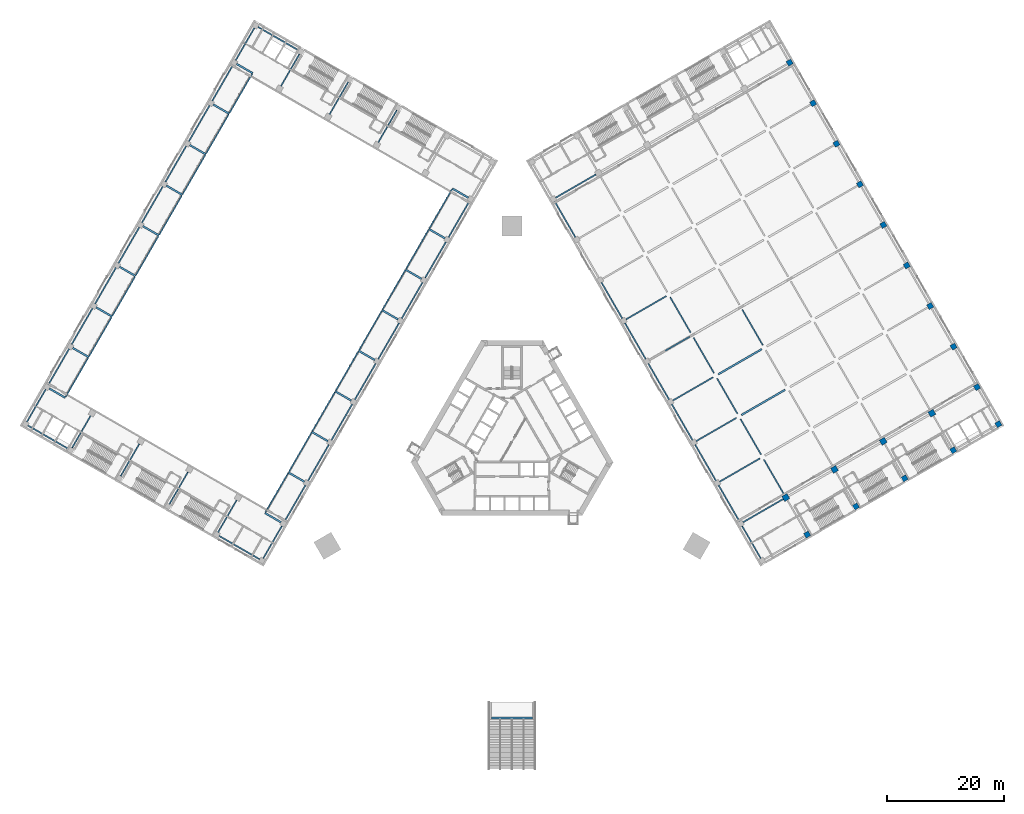
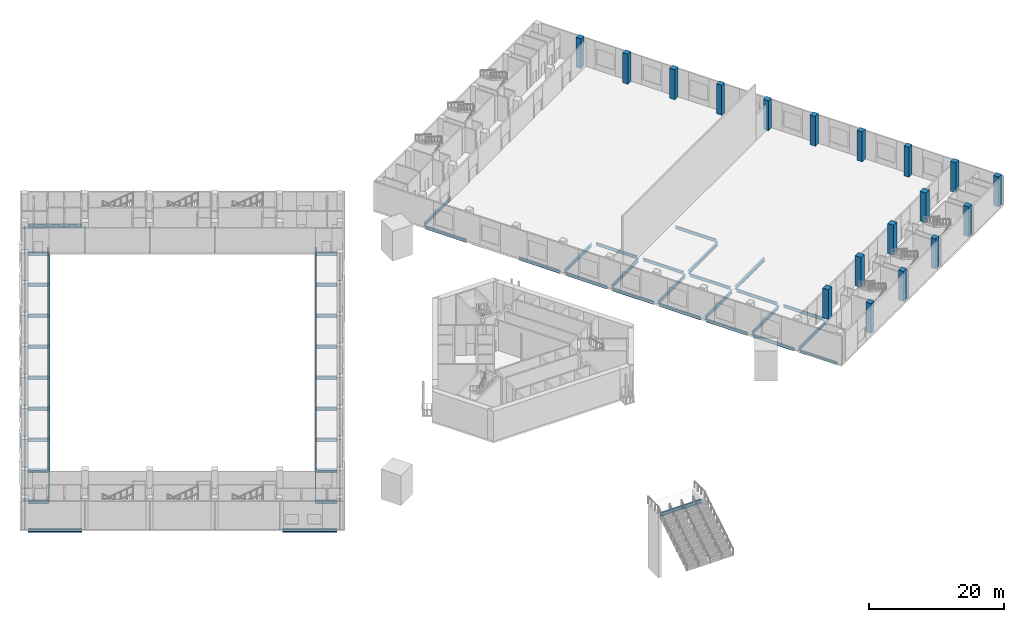
# One storey, part 5 of 35: 87 beams, 18 columns.
"""IFC4 building model written with IfcOpenShell, lengths in metres."""

from ifc_helpers import new_model, si_unit, direction, frame, origin, origin_2d, place, context, subcontext, project, spatial, rectangle, i_section, extrude, material, material_profile, profile_set, type_object, element, save


model = new_model("IFC4")

# Units and contexts
model_context = context("Model", 3, precision=1e-05, world=origin(), true_north=direction((0.0, 1.0)))
body_context = subcontext(model_context, "Body", "Model", "MODEL_VIEW")
ifc_project = project(units=[si_unit("LENGTHUNIT", "METRE"), si_unit("AREAUNIT", "SQUARE_METRE"), si_unit("VOLUMEUNIT", "CUBIC_METRE"), si_unit("PLANEANGLEUNIT", "RADIAN"), si_unit("MASSUNIT", "GRAM", prefix="KILO")], contexts=[model_context])

# Site, building, storey
site_placement = place(None, origin())
site = spatial("IfcSite", under=ifc_project, at=site_placement, CompositionType="ELEMENT")
building_placement = place(site_placement, origin())
building = spatial("IfcBuilding", under=site, at=building_placement, Name="Mestral Congress Tower", CompositionType="ELEMENT")
storey_placement = place(building_placement, frame((0.0, 0.0, 6.0)))
storey = spatial("IfcBuildingStorey", under=building, at=storey_placement, Name="L01", CompositionType="ELEMENT", Elevation=6.0)

# Columns
ifc_material_1 = material(Name="Concrete C60/75", Category="concrete")
ifc_material_profile_1 = material_profile(ifc_material_1, rectangle(XDim=1.0, YDim=1.0, at=origin_2d()), Name="RC 1000x1000")
ifc_profile_set_1 = profile_set([ifc_material_profile_1], Name="Concrete C60/75")
column_type_1 = type_object("IfcColumnType", Name="Podium column RC 1000x1000 C60/75", PredefinedType="COLUMN", material=ifc_profile_set_1)
for number, where, z_axis, x_axis, name in (
    (1, (46.76806640625, -9.94873046875, 0.0), (0.0, 0.0, 1.0), (-0.5, 0.866025403784, 0.0), "COL-L01-PC-E-02B"),
    (2, (55.08203125, -5.148681640625, 0.0), (0.0, 0.0, 1.0), (-0.5, 0.866025403784, 0.0), "COL-L01-PC-E-02C"),
    (3, (63.395751953125, -0.348876953125, 0.0), (0.0, 0.0, 1.0), (-0.5, 0.866025403784, 0.0), "COL-L01-PC-E-02D"),
    (4, (71.709716796875, 4.451171875, 0.0), (0.0, 0.0, 1.0), (-0.5, 0.866025403784, 0.0), "COL-L01-PC-E-02E"),
):
    element("IfcColumn", number, at=place(storey_placement, frame(where, z_axis=z_axis, x_axis=x_axis)), inside=storey, type_object=column_type_1, Name=name, PredefinedType="COLUMN", context=body_context, shape_type="SweptSolid", body=[
        extrude(rectangle(XDim=1.0, YDim=1.0, at=origin_2d()), origin(), (0.0, 0.0, 1.0), 5.39990234375),
    ])
ifc_material_2 = material(Name="Concrete C50/60", Category="concrete")
ifc_material_profile_2 = material_profile(ifc_material_2, rectangle(XDim=0.89990234375, YDim=0.89990234375, at=origin_2d()), Name="RC 900x900")
ifc_profile_set_2 = profile_set([ifc_material_profile_2], Name="Concrete C50/60")
column_type_2 = type_object("IfcColumnType", Name="Podium column RC 900x900 C50/60", PredefinedType="COLUMN", material=ifc_profile_set_2)
for number, where, z_axis, x_axis, name in (
    (5, (50.418212890625, -16.270751953125, 0.0), (0.0, 0.0, 1.0), (-0.5, 0.866025403784, 0.0), "COL-L01-PC-E-01B"),
    (6, (58.73193359375, -11.470703125, 0.0), (0.0, 0.0, 1.0), (-0.5, 0.866025403784, 0.0), "COL-L01-PC-E-01C"),
    (7, (67.0458984375, -6.6708984375, 0.0), (0.0, 0.0, 1.0), (-0.5, 0.866025403784, 0.0), "COL-L01-PC-E-01D"),
    (8, (75.359619140625, -1.870849609375, 0.0), (0.0, 0.0, 1.0), (-0.5, 0.866025403784, 0.0), "COL-L01-PC-E-01E"),
    (9, (83.0673828125, 2.5791015625, 0.0), (0.0, 0.0, 1.0), (-0.5, 0.866025403784, 0.0), "COL-L01-PC-E-01F"),
    (10, (79.417236328125, 8.901123046875, 0.0), (0.0, 0.0, 1.0), (-0.5, 0.866025403784, 0.0), "COL-L01-PC-E-02F"),
    (11, (75.417236328125, 15.829345703125, 0.0), (0.0, 0.0, 1.0), (-0.5, 0.866025403784, 0.0), "COL-L01-PC-E-03F"),
    (12, (71.417236328125, 22.757568359375, 0.0), (0.0, 0.0, 1.0), (-0.5, 0.866025403784, 0.0), "COL-L01-PC-E-04F"),
    (13, (67.417236328125, 29.685791015625, 0.0), (0.0, 0.0, 1.0), (-0.5, 0.866025403784, 0.0), "COL-L01-PC-E-05F"),
    (14, (63.417236328125, 36.614013671875, 0.0), (0.0, 0.0, 1.0), (-0.5, 0.866025403784, 0.0), "COL-L01-PC-E-06F"),
    (15, (59.417236328125, 43.542236328125, 0.0), (0.0, 0.0, 1.0), (-0.5, 0.866025403784, 0.0), "COL-L01-PC-E-07F"),
    (16, (55.417236328125, 50.470458984375, 0.0), (0.0, 0.0, 1.0), (-0.5, 0.866025403784, 0.0), "COL-L01-PC-E-08F"),
    (17, (51.417236328125, 57.398681640625, 0.0), (0.0, 0.0, 1.0), (-0.5, 0.866025403784, 0.0), "COL-L01-PC-E-09F"),
    (18, (47.417236328125, 64.326904296875, 0.0), (0.0, 0.0, 1.0), (-0.5, 0.866025403784, 0.0), "COL-L01-PC-E-10F"),
):
    element("IfcColumn", number, at=place(storey_placement, frame(where, z_axis=z_axis, x_axis=x_axis)), inside=storey, type_object=column_type_2, Name=name, PredefinedType="COLUMN", context=body_context, shape_type="SweptSolid", body=[
        extrude(rectangle(XDim=0.89990234375, YDim=0.89990234375, at=origin_2d()), origin(), (0.0, 0.0, 1.0), 5.39990234375),
    ])

# Beams
ifc_material_3 = material(Name="Steel S355", Category="steel")
ifc_material_profile_3 = material_profile(ifc_material_3, i_section(OverallWidth=0.300048828125, OverallDepth=0.60009765625, WebThickness=0.015380859375, FlangeThickness=0.030029296875, FilletRadius=0.027099609375, at=origin_2d()), Name="HEB 600")
ifc_profile_set_3 = profile_set([ifc_material_profile_3], Name="Steel S355")
beam_type_1 = type_object("IfcBeamType", Name="Floor beam HEB 600 S355", PredefinedType="BEAM", material=ifc_profile_set_3)
for number, where, z_axis, x_axis, name in (
    (19, (39.201171875, 4.15771484375, -0.60009765625), (0.866033360935, 0.499986217557, 0.0), (-0.499986217557, 0.866033360935, 0.0), "BM-L01-E-V04B"),
    (20, (35.201171875, 11.085693359375, -0.60009765625), (0.866021068297, 0.500007509209, 0.0), (-0.500007509209, 0.866021068297, 0.0), "BM-L01-E-V05B"),
):
    element("IfcBeam", number, at=place(storey_placement, frame(where, z_axis=z_axis, x_axis=x_axis)), inside=storey, type_object=beam_type_1, Name=name, PredefinedType="BEAM", context=body_context, shape_type="SweptSolid", body=[
        extrude(i_section(OverallWidth=0.300048828125, OverallDepth=0.60009765625, WebThickness=0.015380859375, FlangeThickness=0.030029296875, FilletRadius=0.027099609375, at=origin_2d()), origin(), (0.0, 0.0, 1.0), 8.599853515625),
    ])
beam_1_placement = place(storey_placement, frame((-7.4501953125, 41.251708984375, -0.60009765625), z_axis=(-0.866002311072, 0.500039995618, 0.0), x_axis=(-0.500039995618, -0.866002311072, 0.0)))
element("IfcBeam", 21, at=beam_1_placement, inside=storey, type_object=beam_type_1, Name="BM-L01-W-G02A", PredefinedType="BEAM", context=body_context, shape_type="SweptSolid", body=[
    extrude(i_section(OverallWidth=0.300048828125, OverallDepth=0.60009765625, WebThickness=0.015380859375, FlangeThickness=0.030029296875, FilletRadius=0.027099609375, at=origin_2d()), origin(), (0.0, 0.0, 1.0), 3.150146484375),
])
beam_2_placement = place(storey_placement, frame((-47.027587890625, 64.101806640625, -0.60009765625), z_axis=(0.866035871367, -0.499981869177, 0.0), x_axis=(0.499981869177, 0.866035871367, 0.0)))
element("IfcBeam", 22, at=beam_2_placement, inside=storey, type_object=beam_type_1, Name="BM-L01-W-G02F", PredefinedType="BEAM", context=body_context, shape_type="SweptSolid", body=[
    extrude(i_section(OverallWidth=0.300048828125, OverallDepth=0.60009765625, WebThickness=0.015380859375, FlangeThickness=0.030029296875, FilletRadius=0.027099609375, at=origin_2d()), origin(), (0.0, 0.0, 1.0), 3.14990234375),
])
beam_3_placement = place(storey_placement, frame((-11.4501953125, 34.323486328125, -0.60009765625), z_axis=(-0.866002311072, 0.500039995618, 0.0), x_axis=(-0.500039995618, -0.866002311072, 0.0)))
element("IfcBeam", 23, at=beam_3_placement, inside=storey, type_object=beam_type_1, Name="BM-L01-W-G03A", PredefinedType="BEAM", context=body_context, shape_type="SweptSolid", body=[
    extrude(i_section(OverallWidth=0.300048828125, OverallDepth=0.60009765625, WebThickness=0.015380859375, FlangeThickness=0.030029296875, FilletRadius=0.027099609375, at=origin_2d()), origin(), (0.0, 0.0, 1.0), 3.150146484375),
])
for number, where, z_axis, x_axis, name in (
    (24, (-51.027587890625, 57.173583984375, -0.60009765625), (0.866035871367, -0.499981869177, 0.0), (0.499981869177, 0.866035871367, 0.0), "BM-L01-W-G03F"),
    (25, (-15.4501953125, 27.3955078125, -0.60009765625), (-0.866035871367, 0.499981869177, 0.0), (-0.499981869177, -0.866035871367, 0.0), "BM-L01-W-G04A"),
    (26, (-55.027587890625, 50.245361328125, -0.60009765625), (0.866035871367, -0.499981869177, 0.0), (0.499981869177, 0.866035871367, 0.0), "BM-L01-W-G04F"),
    (27, (-19.4501953125, 20.46728515625, -0.60009765625), (-0.866035871367, 0.499981869177, 0.0), (-0.499981869177, -0.866035871367, 0.0), "BM-L01-W-G05A"),
    (28, (-59.027587890625, 43.317138671875, -0.60009765625), (0.866035871367, -0.499981869177, 0.0), (0.499981869177, 0.866035871367, 0.0), "BM-L01-W-G05F"),
    (29, (-23.4501953125, 13.5390625, -0.60009765625), (-0.866035871367, 0.499981869177, 0.0), (-0.499981869177, -0.866035871367, 0.0), "BM-L01-W-G06A"),
    (30, (-63.027587890625, 36.388916015625, -0.60009765625), (0.866035871367, -0.499981869177, 0.0), (0.499981869177, 0.866035871367, 0.0), "BM-L01-W-G06F"),
    (31, (-27.4501953125, 6.61083984375, -0.60009765625), (-0.866035871367, 0.499981869177, 0.0), (-0.499981869177, -0.866035871367, 0.0), "BM-L01-W-G07A"),
    (32, (-67.027587890625, 29.460693359375, -0.60009765625), (0.866035871367, -0.499981869177, 0.0), (0.499981869177, 0.866035871367, 0.0), "BM-L01-W-G07F"),
    (33, (-31.4501953125, -0.3173828125, -0.60009765625), (-0.866035871367, 0.499981869177, 0.0), (-0.499981869177, -0.866035871367, 0.0), "BM-L01-W-G08A"),
):
    element("IfcBeam", number, at=place(storey_placement, frame(where, z_axis=z_axis, x_axis=x_axis)), inside=storey, type_object=beam_type_1, Name=name, PredefinedType="BEAM", context=body_context, shape_type="SweptSolid", body=[
        extrude(i_section(OverallWidth=0.300048828125, OverallDepth=0.60009765625, WebThickness=0.015380859375, FlangeThickness=0.030029296875, FilletRadius=0.027099609375, at=origin_2d()), origin(), (0.0, 0.0, 1.0), 3.14990234375),
    ])
beam_4_placement = place(storey_placement, frame((-71.027587890625, 22.53271484375, -0.60009765625), z_axis=(0.866002311072, -0.500039995618, 0.0), x_axis=(0.500039995618, 0.866002311072, 0.0)))
element("IfcBeam", 34, at=beam_4_placement, inside=storey, type_object=beam_type_1, Name="BM-L01-W-G08F", PredefinedType="BEAM", context=body_context, shape_type="SweptSolid", body=[
    extrude(i_section(OverallWidth=0.300048828125, OverallDepth=0.60009765625, WebThickness=0.015380859375, FlangeThickness=0.030029296875, FilletRadius=0.027099609375, at=origin_2d()), origin(), (0.0, 0.0, 1.0), 3.150146484375),
])
beam_5_placement = place(storey_placement, frame((-35.4501953125, -7.24560546875, -0.60009765625), z_axis=(-0.866035871367, 0.499981869177, 0.0), x_axis=(-0.499981869177, -0.866035871367, 0.0)))
element("IfcBeam", 35, at=beam_5_placement, inside=storey, type_object=beam_type_1, Name="BM-L01-W-G09A", PredefinedType="BEAM", context=body_context, shape_type="SweptSolid", body=[
    extrude(i_section(OverallWidth=0.300048828125, OverallDepth=0.60009765625, WebThickness=0.015380859375, FlangeThickness=0.030029296875, FilletRadius=0.027099609375, at=origin_2d()), origin(), (0.0, 0.0, 1.0), 3.14990234375),
])
beam_6_placement = place(storey_placement, frame((-75.027587890625, 15.6044921875, -0.60009765625), z_axis=(0.866002311072, -0.500039995618, 0.0), x_axis=(0.500039995618, 0.866002311072, 0.0)))
element("IfcBeam", 36, at=beam_6_placement, inside=storey, type_object=beam_type_1, Name="BM-L01-W-G09F", PredefinedType="BEAM", context=body_context, shape_type="SweptSolid", body=[
    extrude(i_section(OverallWidth=0.300048828125, OverallDepth=0.60009765625, WebThickness=0.015380859375, FlangeThickness=0.030029296875, FilletRadius=0.027099609375, at=origin_2d()), origin(), (0.0, 0.0, 1.0), 3.150146484375),
])
for number, where, z_axis, x_axis, name in (
    (37, (-39.4501953125, -14.173828125, -0.60009765625), (-0.866035871367, 0.499981869177, 0.0), (-0.499981869177, -0.866035871367, 0.0), "BM-L01-W-G10A"),
    (38, (-79.027587890625, 8.67626953125, -0.60009765625), (0.866035871367, -0.499981869177, 0.0), (0.499981869177, 0.866035871367, 0.0), "BM-L01-W-G10F"),
):
    element("IfcBeam", number, at=place(storey_placement, frame(where, z_axis=z_axis, x_axis=x_axis)), inside=storey, type_object=beam_type_1, Name=name, PredefinedType="BEAM", context=body_context, shape_type="SweptSolid", body=[
        extrude(i_section(OverallWidth=0.300048828125, OverallDepth=0.60009765625, WebThickness=0.015380859375, FlangeThickness=0.030029296875, FilletRadius=0.027099609375, at=origin_2d()), origin(), (0.0, 0.0, 1.0), 3.14990234375),
    ])
beam_7_placement = place(storey_placement, frame((-3.5, -47.587890625, 4.800048828125), z_axis=(1.0, 0.0, 0.0), x_axis=(0.0, 1.0, 0.0)))
element("IfcBeam", 39, at=beam_7_placement, inside=storey, type_object=beam_type_1, Name="BM-TERR-2", PredefinedType="BEAM", context=body_context, shape_type="SweptSolid", body=[
    extrude(i_section(OverallWidth=0.300048828125, OverallDepth=0.60009765625, WebThickness=0.015380859375, FlangeThickness=0.030029296875, FilletRadius=0.027099609375, at=origin_2d()), origin(), (0.0, 0.0, 1.0), 7.0),
])
ifc_material_profile_4 = material_profile(ifc_material_3, i_section(OverallWidth=0.199951171875, OverallDepth=0.5, WebThickness=0.01025390625, FlangeThickness=0.01611328125, FilletRadius=0.02099609375, at=origin_2d()), Name="IPE 500")
ifc_profile_set_4 = profile_set([ifc_material_profile_4], Name="Steel S355")
beam_type_2 = type_object("IfcBeamType", Name="Floor beam IPE 500 S355", PredefinedType="BEAM", material=ifc_profile_set_4)
for number, where, z_axis, x_axis, name in (
    (40, (42.485595703125, -20.3310546875, -0.550048828125), (-0.500028443584, 0.866008981251, 0.0), (-0.866008981251, -0.500028443584, 0.0), "BM-L01-E-U01A"),
    (41, (-39.285400390625, -14.78857421875, -0.550048828125), (-0.500028443584, -0.866008981251, 0.0), (0.866008981251, -0.500028443584, 0.0), "BM-L01-W-U10A"),
):
    element("IfcBeam", number, at=place(storey_placement, frame(where, z_axis=z_axis, x_axis=x_axis)), inside=storey, type_object=beam_type_2, Name=name, PredefinedType="BEAM", context=body_context, shape_type="SweptSolid", body=[
        extrude(i_section(OverallWidth=0.199951171875, OverallDepth=0.5, WebThickness=0.01025390625, FlangeThickness=0.01611328125, FilletRadius=0.02099609375, at=origin_2d()), origin(), (0.0, 0.0, 1.0), 6.400146484375),
    ])
for number, where, z_axis, x_axis, name in (
    (42, (-47.01806640625, -10.3818359375, -0.550048828125), (-0.500005339912, -0.866022320763, 0.0), (0.866022320763, -0.500005339912, 0.0), "BM-L01-W-U10B"),
    (43, (-19.656982421875, 56.208984375, -0.550048828125), (-0.500005339912, -0.866022320763, 0.0), (0.866022320763, -0.500005339912, 0.0), "BM-L01-W-U01C"),
    (44, (-55.33203125, -5.581787109375, -0.550048828125), (-0.500005339912, -0.866022320763, 0.0), (0.866022320763, -0.500005339912, 0.0), "BM-L01-W-U10C"),
    (45, (-27.970703125, 61.009033203125, -0.550048828125), (-0.500005339912, -0.866022320763, 0.0), (0.866022320763, -0.500005339912, 0.0), "BM-L01-W-U01D"),
    (46, (-63.645751953125, -0.78173828125, -0.550048828125), (-0.500005339912, -0.866022320763, 0.0), (0.866022320763, -0.500005339912, 0.0), "BM-L01-W-U10D"),
    (47, (-36.28466796875, 65.80908203125, -0.550048828125), (-0.500005339912, -0.866022320763, 0.0), (0.866022320763, -0.500005339912, 0.0), "BM-L01-W-U01E"),
):
    element("IfcBeam", number, at=place(storey_placement, frame(where, z_axis=z_axis, x_axis=x_axis)), inside=storey, type_object=beam_type_2, Name=name, PredefinedType="BEAM", context=body_context, shape_type="SweptSolid", body=[
        extrude(i_section(OverallWidth=0.199951171875, OverallDepth=0.5, WebThickness=0.01025390625, FlangeThickness=0.01611328125, FilletRadius=0.02099609375, at=origin_2d()), origin(), (0.0, 0.0, 1.0), 6.35009765625),
    ])
beam_8_placement = place(storey_placement, frame((-71.959716796875, 4.018310546875, -0.550048828125), z_axis=(-0.499988692146, -0.866031932279, 0.0), x_axis=(0.866031932279, -0.499988692146, 0.0)))
element("IfcBeam", 48, at=beam_8_placement, inside=storey, type_object=beam_type_2, Name="BM-L01-W-U10E", PredefinedType="BEAM", context=body_context, shape_type="SweptSolid", body=[
    extrude(i_section(OverallWidth=0.199951171875, OverallDepth=0.5, WebThickness=0.01025390625, FlangeThickness=0.01611328125, FilletRadius=0.02099609375, at=origin_2d()), origin(), (0.0, 0.0, 1.0), 6.350341796875),
])
beam_9_placement = place(storey_placement, frame((-43.9921875, 70.259033203125, -0.550048828125), z_axis=(-0.500028443584, -0.866008981251, 0.0), x_axis=(0.866008981251, -0.500028443584, 0.0)))
element("IfcBeam", 49, at=beam_9_placement, inside=storey, type_object=beam_type_2, Name="BM-L01-W-U01F", PredefinedType="BEAM", context=body_context, shape_type="SweptSolid", body=[
    extrude(i_section(OverallWidth=0.199951171875, OverallDepth=0.5, WebThickness=0.01025390625, FlangeThickness=0.01611328125, FilletRadius=0.02099609375, at=origin_2d()), origin(), (0.0, 0.0, 1.0), 6.400146484375),
])
beam_10_placement = place(storey_placement, frame((-79.642333984375, 8.511474609375, -0.550048828125), z_axis=(-0.499999833739, -0.866025499775, 0.0), x_axis=(0.866025499775, -0.499999833739, 0.0)))
element("IfcBeam", 50, at=beam_10_placement, inside=storey, type_object=beam_type_2, Name="BM-L01-W-U10F", PredefinedType="BEAM", context=body_context, shape_type="SweptSolid", body=[
    extrude(i_section(OverallWidth=0.199951171875, OverallDepth=0.5, WebThickness=0.01025390625, FlangeThickness=0.01611328125, FilletRadius=0.02099609375, at=origin_2d()), origin(), (0.0, 0.0, 1.0), 6.39990234375),
])
for number, where, z_axis, x_axis, name in (
    (51, (-10.253173828125, 42.697021484375, -0.550048828125), (-0.500006057782, -0.866021906294, 0.0), (0.866021906294, -0.500006057782, 0.0), "BM-L01-W-T02A"),
    (52, (-14.253173828125, 35.768798828125, -0.550048828125), (-0.500006057782, -0.866021906294, 0.0), (0.866021906294, -0.500006057782, 0.0), "BM-L01-W-T03A"),
    (53, (-18.253173828125, 28.840576171875, -0.550048828125), (-0.500006057782, -0.866021906294, 0.0), (0.866021906294, -0.500006057782, 0.0), "BM-L01-W-T04A"),
    (54, (-22.253173828125, 21.912353515625, -0.550048828125), (-0.500006057782, -0.866021906294, 0.0), (0.866021906294, -0.500006057782, 0.0), "BM-L01-W-T05A"),
    (55, (-26.253173828125, 14.984130859375, -0.550048828125), (-0.500006057782, -0.866021906294, 0.0), (0.866021906294, -0.500006057782, 0.0), "BM-L01-W-T06A"),
    (56, (-30.253173828125, 8.055908203125, -0.550048828125), (-0.500006057782, -0.866021906294, 0.0), (0.866021906294, -0.500006057782, 0.0), "BM-L01-W-T07A"),
    (57, (-34.253173828125, 1.127685546875, -0.550048828125), (-0.500006057782, -0.866021906294, 0.0), (0.866021906294, -0.500006057782, 0.0), "BM-L01-W-T08A"),
    (58, (-38.253173828125, -5.800537109375, -0.550048828125), (-0.500006057782, -0.866021906294, 0.0), (0.866021906294, -0.500006057782, 0.0), "BM-L01-W-T09A"),
    (59, (-44.37451171875, 62.39697265625, -0.550048828125), (-0.500006057782, -0.866021906294, 0.0), (0.866021906294, -0.500006057782, 0.0), "BM-L01-W-T02F"),
    (60, (-48.37451171875, 55.46875, -0.550048828125), (-0.500006057782, -0.866021906294, 0.0), (0.866021906294, -0.500006057782, 0.0), "BM-L01-W-T03F"),
    (61, (-52.37451171875, 48.54052734375, -0.550048828125), (-0.500006057782, -0.866021906294, 0.0), (0.866021906294, -0.500006057782, 0.0), "BM-L01-W-T04F"),
    (62, (-56.37451171875, 41.6123046875, -0.550048828125), (-0.500006057782, -0.866021906294, 0.0), (0.866021906294, -0.500006057782, 0.0), "BM-L01-W-T05F"),
    (63, (-60.37451171875, 34.68408203125, -0.550048828125), (-0.500006057782, -0.866021906294, 0.0), (0.866021906294, -0.500006057782, 0.0), "BM-L01-W-T06F"),
    (64, (-64.37451171875, 27.755859375, -0.550048828125), (-0.500006057782, -0.866021906294, 0.0), (0.866021906294, -0.500006057782, 0.0), "BM-L01-W-T07F"),
    (65, (-68.37451171875, 20.82763671875, -0.550048828125), (-0.500006057782, -0.866021906294, 0.0), (0.866021906294, -0.500006057782, 0.0), "BM-L01-W-T08F"),
):
    element("IfcBeam", number, at=place(storey_placement, frame(where, z_axis=z_axis, x_axis=x_axis)), inside=storey, type_object=beam_type_2, Name=name, PredefinedType="BEAM", context=body_context, shape_type="SweptSolid", body=[
        extrude(i_section(OverallWidth=0.199951171875, OverallDepth=0.5, WebThickness=0.01025390625, FlangeThickness=0.01611328125, FilletRadius=0.02099609375, at=origin_2d()), origin(), (0.0, 0.0, 1.0), 7.7001953125),
    ])
beam_11_placement = place(storey_placement, frame((-72.37451171875, 13.8994140625, -0.550048828125), z_axis=(-0.500019787375, -0.866013979237, 0.0), x_axis=(0.866013979237, -0.500019787375, 0.0)))
element("IfcBeam", 66, at=beam_11_placement, inside=storey, type_object=beam_type_2, Name="BM-L01-W-T09F", PredefinedType="BEAM", context=body_context, shape_type="SweptSolid", body=[
    extrude(i_section(OverallWidth=0.199951171875, OverallDepth=0.5, WebThickness=0.01025390625, FlangeThickness=0.01611328125, FilletRadius=0.02099609375, at=origin_2d()), origin(), (0.0, 0.0, 1.0), 7.699951171875),
])
ifc_material_profile_5 = material_profile(ifc_material_3, i_section(OverallWidth=0.2099609375, OverallDepth=0.550048828125, WebThickness=0.010986328125, FlangeThickness=0.01708984375, FilletRadius=0.02392578125, at=origin_2d()), Name="IPE 550")
ifc_profile_set_5 = profile_set([ifc_material_profile_5], Name="Steel S355")
beam_type_3 = type_object("IfcBeamType", Name="Floor beam IPE 550 S355", PredefinedType="BEAM", material=ifc_profile_set_5)
for number, where, z_axis, x_axis, name in (
    (67, (38.83544921875, -14.009033203125, -0.574951171875), (-0.500011179042, 0.866018949465, 0.0), (-0.866018949465, -0.500011179042, 0.0), "BM-L01-E-U02A"),
    (68, (34.83544921875, -7.080810546875, -0.574951171875), (-0.500011179042, 0.866018949465, 0.0), (-0.866018949465, -0.500011179042, 0.0), "BM-L01-E-U03A"),
    (69, (30.83544921875, -0.152587890625, -0.574951171875), (-0.500011179042, 0.866018949465, 0.0), (-0.866018949465, -0.500011179042, 0.0), "BM-L01-E-U04A"),
):
    element("IfcBeam", number, at=place(storey_placement, frame(where, z_axis=z_axis, x_axis=x_axis)), inside=storey, type_object=beam_type_3, Name=name, PredefinedType="BEAM", context=body_context, shape_type="SweptSolid", body=[
        extrude(i_section(OverallWidth=0.2099609375, OverallDepth=0.550048828125, WebThickness=0.010986328125, FlangeThickness=0.01708984375, FilletRadius=0.02392578125, at=origin_2d()), origin(), (0.0, 0.0, 1.0), 7.099853515625),
    ])
for number, where, z_axis, x_axis, name in (
    (70, (26.83544921875, 6.775390625, -0.574951171875), (-0.499996289485, 0.866027546041, 0.0), (-0.866027546041, -0.499996289485, 0.0), "BM-L01-E-U05A"),
    (71, (22.83544921875, 13.70361328125, -0.574951171875), (-0.499996289485, 0.866027546041, 0.0), (-0.866027546041, -0.499996289485, 0.0), "BM-L01-E-U06A"),
    (72, (18.83544921875, 20.6318359375, -0.574951171875), (-0.499996289485, 0.866027546041, 0.0), (-0.866027546041, -0.499996289485, 0.0), "BM-L01-E-U07A"),
    (73, (10.83544921875, 34.48828125, -0.574951171875), (-0.499996289485, 0.866027546041, 0.0), (-0.866027546041, -0.499996289485, 0.0), "BM-L01-E-U09A"),
):
    element("IfcBeam", number, at=place(storey_placement, frame(where, z_axis=z_axis, x_axis=x_axis)), inside=storey, type_object=beam_type_3, Name=name, PredefinedType="BEAM", context=body_context, shape_type="SweptSolid", body=[
        extrude(i_section(OverallWidth=0.2099609375, OverallDepth=0.550048828125, WebThickness=0.010986328125, FlangeThickness=0.01708984375, FilletRadius=0.02392578125, at=origin_2d()), origin(), (0.0, 0.0, 1.0), 7.10009765625),
    ])
for number, where, z_axis, x_axis, name in (
    (74, (46.51806640625, -9.515869140625, -0.574951171875), (-0.499995173006, 0.866028190633, 0.0), (-0.866028190633, -0.499995173006, 0.0), "BM-L01-E-U02B"),
    (75, (42.51806640625, -2.587646484375, -0.574951171875), (-0.499995173006, 0.866028190633, 0.0), (-0.866028190633, -0.499995173006, 0.0), "BM-L01-E-U03B"),
    (76, (38.51806640625, 4.340576171875, -0.574951171875), (-0.499995173006, 0.866028190633, 0.0), (-0.866028190633, -0.499995173006, 0.0), "BM-L01-E-U04B"),
    (77, (34.51806640625, 11.268798828125, -0.574951171875), (-0.499995173006, 0.866028190633, 0.0), (-0.866028190633, -0.499995173006, 0.0), "BM-L01-E-U05B"),
    (78, (30.51806640625, 18.197021484375, -0.574951171875), (-0.499995173006, 0.866028190633, 0.0), (-0.866028190633, -0.499995173006, 0.0), "BM-L01-E-U06B"),
    (79, (42.83203125, 16.06884765625, -0.574951171875), (-0.499995173006, 0.866028190633, 0.0), (-0.866028190633, -0.499995173006, 0.0), "BM-L01-E-U05C"),
):
    element("IfcBeam", number, at=place(storey_placement, frame(where, z_axis=z_axis, x_axis=x_axis)), inside=storey, type_object=beam_type_3, Name=name, PredefinedType="BEAM", context=body_context, shape_type="SweptSolid", body=[
        extrude(i_section(OverallWidth=0.2099609375, OverallDepth=0.550048828125, WebThickness=0.010986328125, FlangeThickness=0.01708984375, FilletRadius=0.02392578125, at=origin_2d()), origin(), (0.0, 0.0, 1.0), 7.0),
    ])
for number, where, z_axis, x_axis, name in (
    (80, (-7.285400390625, 40.63720703125, -0.574951171875), (-0.499996289485, -0.866027546041, 0.0), (0.866027546041, -0.499996289485, 0.0), "BM-L01-W-U02A"),
    (81, (-11.285400390625, 33.708984375, -0.574951171875), (-0.499996289485, -0.866027546041, 0.0), (0.866027546041, -0.499996289485, 0.0), "BM-L01-W-U03A"),
    (82, (-15.285400390625, 26.78076171875, -0.574951171875), (-0.499996289485, -0.866027546041, 0.0), (0.866027546041, -0.499996289485, 0.0), "BM-L01-W-U04A"),
    (83, (-19.285400390625, 19.8525390625, -0.574951171875), (-0.499996289485, -0.866027546041, 0.0), (0.866027546041, -0.499996289485, 0.0), "BM-L01-W-U05A"),
    (84, (-23.285400390625, 12.92431640625, -0.574951171875), (-0.499996289485, -0.866027546041, 0.0), (0.866027546041, -0.499996289485, 0.0), "BM-L01-W-U06A"),
):
    element("IfcBeam", number, at=place(storey_placement, frame(where, z_axis=z_axis, x_axis=x_axis)), inside=storey, type_object=beam_type_3, Name=name, PredefinedType="BEAM", context=body_context, shape_type="SweptSolid", body=[
        extrude(i_section(OverallWidth=0.2099609375, OverallDepth=0.550048828125, WebThickness=0.010986328125, FlangeThickness=0.01708984375, FilletRadius=0.02392578125, at=origin_2d()), origin(), (0.0, 0.0, 1.0), 7.10009765625),
    ])
for number, where, z_axis, x_axis, name in (
    (85, (-27.285400390625, 5.99609375, -0.574951171875), (-0.500011179042, -0.866018949465, 0.0), (0.866018949465, -0.500011179042, 0.0), "BM-L01-W-U07A"),
    (86, (-31.285400390625, -0.93212890625, -0.574951171875), (-0.500011179042, -0.866018949465, 0.0), (0.866018949465, -0.500011179042, 0.0), "BM-L01-W-U08A"),
    (87, (-35.285400390625, -7.8603515625, -0.574951171875), (-0.500011179042, -0.866018949465, 0.0), (0.866018949465, -0.500011179042, 0.0), "BM-L01-W-U09A"),
    (88, (-47.642333984375, 63.93701171875, -0.574951171875), (-0.500011179042, -0.866018949465, 0.0), (0.866018949465, -0.500011179042, 0.0), "BM-L01-W-U02F"),
    (89, (-51.642333984375, 57.0087890625, -0.574951171875), (-0.500011179042, -0.866018949465, 0.0), (0.866018949465, -0.500011179042, 0.0), "BM-L01-W-U03F"),
):
    element("IfcBeam", number, at=place(storey_placement, frame(where, z_axis=z_axis, x_axis=x_axis)), inside=storey, type_object=beam_type_3, Name=name, PredefinedType="BEAM", context=body_context, shape_type="SweptSolid", body=[
        extrude(i_section(OverallWidth=0.2099609375, OverallDepth=0.550048828125, WebThickness=0.010986328125, FlangeThickness=0.01708984375, FilletRadius=0.02392578125, at=origin_2d()), origin(), (0.0, 0.0, 1.0), 7.099853515625),
    ])
for number, where, z_axis, x_axis, name in (
    (90, (-55.642333984375, 50.080810546875, -0.574951171875), (-0.499996289485, -0.866027546041, 0.0), (0.866027546041, -0.499996289485, 0.0), "BM-L01-W-U04F"),
    (91, (-59.642333984375, 43.152587890625, -0.574951171875), (-0.499996289485, -0.866027546041, 0.0), (0.866027546041, -0.499996289485, 0.0), "BM-L01-W-U05F"),
    (92, (-63.642333984375, 36.224365234375, -0.574951171875), (-0.499996289485, -0.866027546041, 0.0), (0.866027546041, -0.499996289485, 0.0), "BM-L01-W-U06F"),
    (93, (-67.642333984375, 29.296142578125, -0.574951171875), (-0.499996289485, -0.866027546041, 0.0), (0.866027546041, -0.499996289485, 0.0), "BM-L01-W-U07F"),
    (94, (-71.642333984375, 22.367919921875, -0.574951171875), (-0.499996289485, -0.866027546041, 0.0), (0.866027546041, -0.499996289485, 0.0), "BM-L01-W-U08F"),
):
    element("IfcBeam", number, at=place(storey_placement, frame(where, z_axis=z_axis, x_axis=x_axis)), inside=storey, type_object=beam_type_3, Name=name, PredefinedType="BEAM", context=body_context, shape_type="SweptSolid", body=[
        extrude(i_section(OverallWidth=0.2099609375, OverallDepth=0.550048828125, WebThickness=0.010986328125, FlangeThickness=0.01708984375, FilletRadius=0.02392578125, at=origin_2d()), origin(), (0.0, 0.0, 1.0), 7.10009765625),
    ])
beam_12_placement = place(storey_placement, frame((-75.642333984375, 15.439697265625, -0.574951171875), z_axis=(-0.500011179042, -0.866018949465, 0.0), x_axis=(0.866018949465, -0.500011179042, 0.0)))
element("IfcBeam", 95, at=beam_12_placement, inside=storey, type_object=beam_type_3, Name="BM-L01-W-U09F", PredefinedType="BEAM", context=body_context, shape_type="SweptSolid", body=[
    extrude(i_section(OverallWidth=0.2099609375, OverallDepth=0.550048828125, WebThickness=0.010986328125, FlangeThickness=0.01708984375, FilletRadius=0.02392578125, at=origin_2d()), origin(), (0.0, 0.0, 1.0), 7.099853515625),
])
ifc_material_profile_6 = material_profile(ifc_material_3, i_section(OverallWidth=0.219970703125, OverallDepth=0.60009765625, WebThickness=0.011962890625, FlangeThickness=0.01904296875, FilletRadius=0.02392578125, at=origin_2d()), Name="IPE 600")
ifc_profile_set_6 = profile_set([ifc_material_profile_6], Name="Steel S355")
beam_type_4 = type_object("IfcBeamType", Name="Floor beam IPE 600 S355", PredefinedType="BEAM", material=ifc_profile_set_6)
for number, where, z_axis, x_axis, name in (
    (96, (39.4501953125, -14.173828125, -0.60009765625), (0.86602347488, 0.500003340945, 0.0), (-0.500003340945, 0.86602347488, 0.0), "BM-L01-E-V02A"),
    (97, (35.4501953125, -7.24560546875, -0.60009765625), (0.86602347488, 0.500003340945, 0.0), (-0.500003340945, 0.86602347488, 0.0), "BM-L01-E-V03A"),
    (98, (31.4501953125, -0.3173828125, -0.60009765625), (0.86602347488, 0.500003340945, 0.0), (-0.500003340945, 0.86602347488, 0.0), "BM-L01-E-V04A"),
):
    element("IfcBeam", number, at=place(storey_placement, frame(where, z_axis=z_axis, x_axis=x_axis)), inside=storey, type_object=beam_type_4, Name=name, PredefinedType="BEAM", context=body_context, shape_type="SweptSolid", body=[
        extrude(i_section(OverallWidth=0.219970703125, OverallDepth=0.60009765625, WebThickness=0.011962890625, FlangeThickness=0.01904296875, FilletRadius=0.02392578125, at=origin_2d()), origin(), (0.0, 0.0, 1.0), 7.9501953125),
    ])
for number, where, z_axis, x_axis, name in (
    (99, (27.4501953125, 6.61083984375, -0.60009765625), (0.866036772208, 0.499980308795, 0.0), (-0.499980308795, 0.866036772208, 0.0), "BM-L01-E-V05A"),
    (100, (23.4501953125, 13.5390625, -0.60009765625), (0.866036772208, 0.499980308795, 0.0), (-0.499980308795, 0.866036772208, 0.0), "BM-L01-E-V06A"),
    (101, (19.4501953125, 20.46728515625, -0.60009765625), (0.866036772208, 0.499980308795, 0.0), (-0.499980308795, 0.866036772208, 0.0), "BM-L01-E-V07A"),
):
    element("IfcBeam", number, at=place(storey_placement, frame(where, z_axis=z_axis, x_axis=x_axis)), inside=storey, type_object=beam_type_4, Name=name, PredefinedType="BEAM", context=body_context, shape_type="SweptSolid", body=[
        extrude(i_section(OverallWidth=0.219970703125, OverallDepth=0.60009765625, WebThickness=0.011962890625, FlangeThickness=0.01904296875, FilletRadius=0.02392578125, at=origin_2d()), origin(), (0.0, 0.0, 1.0), 7.949951171875),
    ])
beam_13_placement = place(storey_placement, frame((7.4501953125, 41.251708984375, -0.60009765625), z_axis=(0.86602347488, 0.500003340945, 0.0), x_axis=(-0.500003340945, 0.86602347488, 0.0)))
element("IfcBeam", 102, at=beam_13_placement, inside=storey, type_object=beam_type_4, Name="BM-L01-E-V10A", PredefinedType="BEAM", context=body_context, shape_type="SweptSolid", body=[
    extrude(i_section(OverallWidth=0.219970703125, OverallDepth=0.60009765625, WebThickness=0.011962890625, FlangeThickness=0.01904296875, FilletRadius=0.02392578125, at=origin_2d()), origin(), (0.0, 0.0, 1.0), 7.9501953125),
])
for number, where, z_axis, x_axis, name in (
    (103, (-36.449462890625, 66.423828125, -0.60009765625), (-0.866026010844, 0.49999894854, 0.0), (-0.49999894854, -0.866026010844, 0.0), "BM-L01-W-V01E"),
    (104, (-43.10009765625, -20.495849609375, -0.60009765625), (-0.866026010844, 0.49999894854, 0.0), (-0.49999894854, -0.866026010844, 0.0), "BM-L01-W-V11A"),
):
    element("IfcBeam", number, at=place(storey_placement, frame(where, z_axis=z_axis, x_axis=x_axis)), inside=storey, type_object=beam_type_4, Name=name, PredefinedType="BEAM", context=body_context, shape_type="SweptSolid", body=[
        extrude(i_section(OverallWidth=0.219970703125, OverallDepth=0.60009765625, WebThickness=0.011962890625, FlangeThickness=0.01904296875, FilletRadius=0.02392578125, at=origin_2d()), origin(), (0.0, 0.0, 1.0), 8.0),
    ])
beam_14_placement = place(storey_placement, frame((-75.74951171875, -1.645751953125, -0.60009765625), z_axis=(-0.866018381195, 0.500012163284, 0.0), x_axis=(-0.500012163284, -0.866018381195, 0.0)))
element("IfcBeam", 105, at=beam_14_placement, inside=storey, type_object=beam_type_4, Name="BM-L01-W-V11E", PredefinedType="BEAM", context=body_context, shape_type="SweptSolid", body=[
    extrude(i_section(OverallWidth=0.219970703125, OverallDepth=0.60009765625, WebThickness=0.011962890625, FlangeThickness=0.01904296875, FilletRadius=0.02392578125, at=origin_2d()), origin(), (0.0, 0.0, 1.0), 7.999755859375),
])

save(model, "model.ifc")
